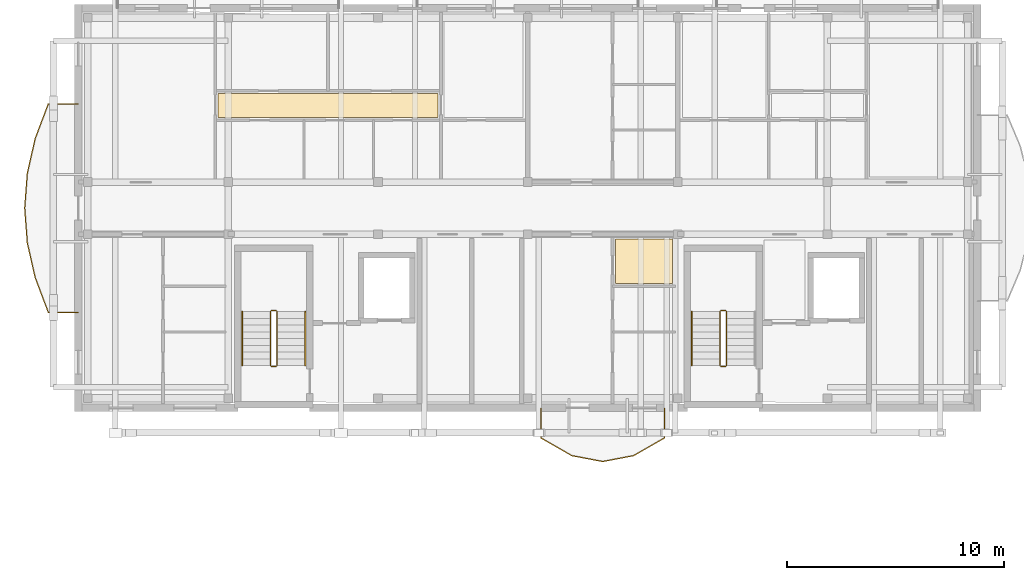
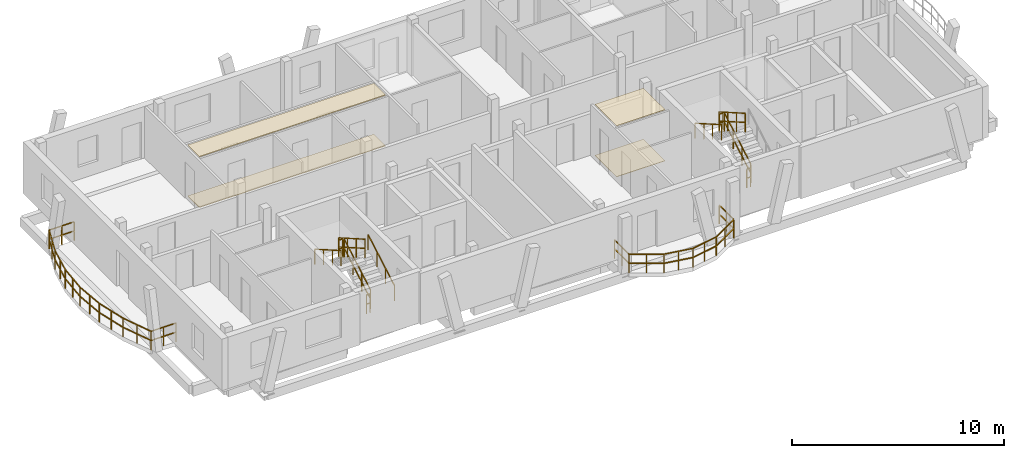
# One storey, part 29 of 33: 13 railings, 4 coverings.
"""IFC4 building model written with IfcOpenShell, lengths in metres."""

from ifc_helpers import new_model, si_unit, direction, frame, origin, origin_2d, place, context, subcontext, project, spatial, polyline, rectangle, outline, extrude, material, layer, layer_set, type_object, element, save


model = new_model("IFC4")

# Units and contexts
model_context = context("Model", 3, precision=1e-05, world=origin(), true_north=direction((0.0, 1.0)))
body_context = subcontext(model_context, "Body", "Model", "MODEL_VIEW")
ifc_project = project(units=[si_unit("LENGTHUNIT", "METRE"), si_unit("AREAUNIT", "SQUARE_METRE"), si_unit("VOLUMEUNIT", "CUBIC_METRE"), si_unit("PLANEANGLEUNIT", "RADIAN"), si_unit("MASSUNIT", "GRAM", prefix="KILO")], contexts=[model_context])

# Site, building, storey
site_placement = place(None, origin())
site = spatial("IfcSite", under=ifc_project, at=site_placement, CompositionType="ELEMENT")
building_placement = place(site_placement, origin())
building = spatial("IfcBuilding", under=site, at=building_placement, Name="Zavelmont Quarter", CompositionType="ELEMENT")
storey_placement = place(building_placement, frame((0.0, 0.0, 30.39990234375)))
storey = spatial("IfcBuildingStorey", under=building, at=storey_placement, Name="L09", CompositionType="ELEMENT", Elevation=30.39990234375)

# Coverings
ifc_material_1 = material(Name="Perforated acoustic gypsum board")
ifc_layer_1 = layer(ifc_material_1, 0.02490234375)
ifc_layer_set_1 = layer_set([ifc_layer_1], Name="Perforated acoustic gypsum board")
covering_type_1 = type_object("IfcCoveringType", Name="CV-CL01", PredefinedType="CEILING", material=ifc_layer_set_1)
covering_1_placement = place(storey_placement, frame((0.0, 0.0, 2.93505859375)))
element("IfcCovering", 1, at=covering_1_placement, inside=storey, type_object=covering_type_1, Name="L09 Kitchen acoustic ceiling", PredefinedType="CEILING", context=body_context, shape_type="SweptSolid", body=[
    extrude(outline(polyline([(24.72998046875, 105.3701171875), (27.360107421875, 105.3701171875), (27.360107421875, 105.360107421875), (27.3701171875, 105.360107421875), (27.3701171875, 103.330078125), (24.72998046875, 103.330078125), (24.72998046875, 105.3701171875)])), origin(), (0.0, 0.0, 1.0), 0.025146484375),
])
ifc_material_2 = material(Name="Slatted European ash acoustic baffle ceiling")
ifc_layer_2 = layer(ifc_material_2, 0.0400390625)
ifc_layer_set_2 = layer_set([ifc_layer_2], Name="Slatted European ash acoustic baffle ceiling")
covering_type_2 = type_object("IfcCoveringType", Name="CV-CL02", PredefinedType="CEILING", material=ifc_layer_set_2)
covering_2_placement = place(storey_placement, frame((0.0, 0.0, 2.920166015625)))
element("IfcCovering", 2, at=covering_2_placement, inside=storey, type_object=covering_type_2, Name="L09 Apartment Hall acoustic ceiling", PredefinedType="CEILING", context=body_context, shape_type="SweptSolid", body=[
    extrude(outline(polyline([(6.429931640625, 112.070068359375), (16.570068359375, 112.070068359375), (16.570068359375, 110.97998046875), (6.429931640625, 110.97998046875), (6.429931640625, 112.070068359375)])), origin(), (0.0, 0.0, 1.0), 0.0400390625),
])
ifc_material_3 = material(Name="Engineered European oak parquet")
ifc_layer_3 = layer(ifc_material_3, 0.02197265625)
ifc_layer_set_3 = layer_set([ifc_layer_3], Name="Engineered European oak parquet")
covering_type_3 = type_object("IfcCoveringType", Name="CV-FL01", PredefinedType="FLOORING", material=ifc_layer_set_3)
covering_3_placement = place(storey_placement, origin())
element("IfcCovering", 3, at=covering_3_placement, inside=storey, type_object=covering_type_3, Name="L09 Kitchen floor finish", PredefinedType="FLOORING", context=body_context, shape_type="SweptSolid", body=[
    extrude(outline(polyline([(24.72998046875, 105.3701171875), (27.360107421875, 105.3701171875), (27.360107421875, 105.360107421875), (27.3701171875, 105.360107421875), (27.3701171875, 103.330078125), (24.72998046875, 103.330078125), (24.72998046875, 105.3701171875)])), origin(), (0.0, 0.0, 1.0), 0.022216796875),
])
ifc_material_4 = material(Name="Honed Belgian bluestone tile", Category="masonry")
ifc_layer_4 = layer(ifc_material_4, 0.030029296875)
ifc_layer_set_4 = layer_set([ifc_layer_4], Name="Honed Belgian bluestone tile")
covering_type_4 = type_object("IfcCoveringType", Name="CV-FL02", PredefinedType="FLOORING", material=ifc_layer_set_4)
covering_4_placement = place(storey_placement, origin())
element("IfcCovering", 4, at=covering_4_placement, inside=storey, type_object=covering_type_4, Name="L09 Apartment Hall floor finish", PredefinedType="FLOORING", context=body_context, shape_type="SweptSolid", body=[
    extrude(outline(polyline([(6.429931640625, 112.070068359375), (16.570068359375, 112.070068359375), (16.570068359375, 110.97998046875), (6.429931640625, 110.97998046875), (6.429931640625, 112.070068359375)])), origin(), (0.0, 0.0, 1.0), 0.030029296875),
])

# Railings
ifc_material_5 = material(Name="Powder-coated steel and tempered double safety glass", Category="steel")
railing_type_1 = type_object("IfcRailingType", Name="RL-BAL1", PredefinedType="BALUSTRADE", material=ifc_material_5)
railing_1_placement = place(storey_placement, frame((-0.02001953125, 111.60400390625, 0.0)))
element("IfcRailing", 5, at=railing_1_placement, inside=storey, type_object=railing_type_1, Name="L09 Block B curved balcony guard RL-BAL1", PredefinedType="BALUSTRADE", context=body_context, shape_type="SweptSolid", body=[
    extrude(rectangle(XDim=0.048095703125, YDim=0.048095703125, at=origin_2d()), frame((0.0, 0.0, 1.076171875), z_axis=(-1.0, 0.0, 0.0), x_axis=(0.0, -1.0, 0.0)), (0.0, 0.0, 1.0), 1.364990234375),
    extrude(rectangle(XDim=0.048095703125, YDim=0.048095703125, at=origin_2d()), frame((0.0, 0.0, 0.550048828125), z_axis=(-1.0, 0.0, 0.0), x_axis=(0.0, -1.0, 0.0)), (0.0, 0.0, 1.0), 1.364990234375),
    extrude(rectangle(XDim=0.048095703125, YDim=0.048095703125, at=origin_2d()), frame((-1.364990234375, 0.0, 1.076171875), z_axis=(-0.353170328595, -0.935559040895, 0.0), x_axis=(0.935559040895, -0.353170328595, 0.0)), (0.0, 0.0, 1.0), 1.711669921875),
    extrude(rectangle(XDim=0.048095703125, YDim=0.048095703125, at=origin_2d()), frame((-1.364990234375, 0.0, 0.550048828125), z_axis=(-0.353170328595, -0.935559040895, 0.0), x_axis=(0.935559040895, -0.353170328595, 0.0)), (0.0, 0.0, 1.0), 1.711669921875),
    extrude(rectangle(XDim=0.048095703125, YDim=0.048095703125, at=origin_2d()), frame((-1.969482421875, -1.601318359375, 1.076171875), z_axis=(-0.220817646122, -0.975315111726, 0.0), x_axis=(0.975315111726, -0.220817646122, 0.0)), (0.0, 0.0, 1.0), 1.641845703125),
    extrude(rectangle(XDim=0.048095703125, YDim=0.048095703125, at=origin_2d()), frame((-1.969482421875, -1.601318359375, 0.550048828125), z_axis=(-0.220817646122, -0.975315111726, 0.0), x_axis=(0.975315111726, -0.220817646122, 0.0)), (0.0, 0.0, 1.0), 1.641845703125),
    extrude(rectangle(XDim=0.048095703125, YDim=0.048095703125, at=origin_2d()), frame((-2.33203125, -3.20263671875, 1.076171875), z_axis=(-0.075254817227, -0.997164335746, 0.0), x_axis=(0.997164335746, -0.075254817227, 0.0)), (0.0, 0.0, 1.0), 1.60595703125),
    extrude(rectangle(XDim=0.048095703125, YDim=0.048095703125, at=origin_2d()), frame((-2.33203125, -3.20263671875, 0.550048828125), z_axis=(-0.075254817227, -0.997164335746, 0.0), x_axis=(0.997164335746, -0.075254817227, 0.0)), (0.0, 0.0, 1.0), 1.60595703125),
    extrude(rectangle(XDim=0.048095703125, YDim=0.048095703125, at=origin_2d()), frame((-2.452880859375, -4.803955078125, 1.076171875), z_axis=(0.07524341041, -0.99716519654, 0.0), x_axis=(0.99716519654, 0.07524341041, 0.0)), (0.0, 0.0, 1.0), 1.606201171875),
    extrude(rectangle(XDim=0.048095703125, YDim=0.048095703125, at=origin_2d()), frame((-2.452880859375, -4.803955078125, 0.550048828125), z_axis=(0.07524341041, -0.99716519654, 0.0), x_axis=(0.99716519654, 0.07524341041, 0.0)), (0.0, 0.0, 1.0), 1.606201171875),
    extrude(rectangle(XDim=0.048095703125, YDim=0.048095703125, at=origin_2d()), frame((-2.33203125, -6.405517578125, 1.076171875), z_axis=(0.22084967542, -0.975307859533, 0.0), x_axis=(0.975307859533, 0.22084967542, 0.0)), (0.0, 0.0, 1.0), 1.6416015625),
    extrude(rectangle(XDim=0.048095703125, YDim=0.048095703125, at=origin_2d()), frame((-2.33203125, -6.405517578125, 0.550048828125), z_axis=(0.22084967542, -0.975307859533, 0.0), x_axis=(0.975307859533, 0.22084967542, 0.0)), (0.0, 0.0, 1.0), 1.6416015625),
    extrude(rectangle(XDim=0.048095703125, YDim=0.048095703125, at=origin_2d()), frame((-1.969482421875, -8.006591796875, 1.076171875), z_axis=(0.353123205354, -0.935576828401, 0.0), x_axis=(0.935576828401, 0.353123205354, 0.0)), (0.0, 0.0, 1.0), 1.7119140625),
    extrude(rectangle(XDim=0.048095703125, YDim=0.048095703125, at=origin_2d()), frame((-1.969482421875, -8.006591796875, 0.550048828125), z_axis=(0.353123205354, -0.935576828401, 0.0), x_axis=(0.935576828401, 0.353123205354, 0.0)), (0.0, 0.0, 1.0), 1.7119140625),
    extrude(rectangle(XDim=0.048095703125, YDim=0.048095703125, at=origin_2d()), frame((-1.364990234375, -9.608154296875, 1.076171875), z_axis=(1.0, 0.0, 0.0), x_axis=(0.0, 1.0, 0.0)), (0.0, 0.0, 1.0), 1.364990234375),
    extrude(rectangle(XDim=0.048095703125, YDim=0.048095703125, at=origin_2d()), frame((-1.364990234375, -9.608154296875, 0.550048828125), z_axis=(1.0, 0.0, 0.0), x_axis=(0.0, 1.0, 0.0)), (0.0, 0.0, 1.0), 1.364990234375),
    extrude(rectangle(XDim=0.0419921875, YDim=0.0419921875, at=origin_2d()), origin(), (0.0, 0.0, 1.0), 1.052001953125),
    extrude(rectangle(XDim=0.0419921875, YDim=0.0419921875, at=origin_2d()), frame((-0.6826171875, 0.0, 0.0)), (0.0, 0.0, 1.0), 1.052001953125),
    extrude(rectangle(XDim=0.0419921875, YDim=0.0419921875, at=origin_2d()), frame((-1.364990234375, 0.0, 0.0)), (0.0, 0.0, 1.0), 1.052001953125),
    extrude(rectangle(XDim=0.0419921875, YDim=0.0419921875, at=origin_2d()), frame((-1.667236328125, -0.80078125, 0.0)), (0.0, 0.0, 1.0), 1.052001953125),
    extrude(rectangle(XDim=0.0419921875, YDim=0.0419921875, at=origin_2d()), frame((-1.969482421875, -1.601318359375, 0.0)), (0.0, 0.0, 1.0), 1.052001953125),
    extrude(rectangle(XDim=0.0419921875, YDim=0.0419921875, at=origin_2d()), frame((-2.15087890625, -2.40185546875, 0.0)), (0.0, 0.0, 1.0), 1.052001953125),
    extrude(rectangle(XDim=0.0419921875, YDim=0.0419921875, at=origin_2d()), frame((-2.33203125, -3.20263671875, 0.0)), (0.0, 0.0, 1.0), 1.052001953125),
    extrude(rectangle(XDim=0.0419921875, YDim=0.0419921875, at=origin_2d()), frame((-2.392578125, -4.00341796875, 0.0)), (0.0, 0.0, 1.0), 1.052001953125),
    extrude(rectangle(XDim=0.0419921875, YDim=0.0419921875, at=origin_2d()), frame((-2.452880859375, -4.803955078125, 0.0)), (0.0, 0.0, 1.0), 1.052001953125),
    extrude(rectangle(XDim=0.0419921875, YDim=0.0419921875, at=origin_2d()), frame((-2.392578125, -5.604736328125, 0.0)), (0.0, 0.0, 1.0), 1.052001953125),
    extrude(rectangle(XDim=0.0419921875, YDim=0.0419921875, at=origin_2d()), frame((-2.33203125, -6.405517578125, 0.0)), (0.0, 0.0, 1.0), 1.052001953125),
    extrude(rectangle(XDim=0.0419921875, YDim=0.0419921875, at=origin_2d()), frame((-2.15087890625, -7.2060546875, 0.0)), (0.0, 0.0, 1.0), 1.052001953125),
    extrude(rectangle(XDim=0.0419921875, YDim=0.0419921875, at=origin_2d()), frame((-1.969482421875, -8.006591796875, 0.0)), (0.0, 0.0, 1.0), 1.052001953125),
    extrude(rectangle(XDim=0.0419921875, YDim=0.0419921875, at=origin_2d()), frame((-1.667236328125, -8.807373046875, 0.0)), (0.0, 0.0, 1.0), 1.052001953125),
    extrude(rectangle(XDim=0.0419921875, YDim=0.0419921875, at=origin_2d()), frame((-1.364990234375, -9.608154296875, 0.0)), (0.0, 0.0, 1.0), 1.052001953125),
    extrude(rectangle(XDim=0.0419921875, YDim=0.0419921875, at=origin_2d()), frame((-0.6826171875, -9.608154296875, 0.0)), (0.0, 0.0, 1.0), 1.052001953125),
    extrude(rectangle(XDim=0.0419921875, YDim=0.0419921875, at=origin_2d()), frame((0.0, -9.608154296875, 0.0)), (0.0, 0.0, 1.0), 1.052001953125),
])
railing_2_placement = place(storey_placement, frame((21.300048828125, 97.580078125, 0.0)))
element("IfcRailing", 6, at=railing_2_placement, inside=storey, type_object=railing_type_1, Name="L09 Block B curved balcony guard RL-BAL1", PredefinedType="BALUSTRADE", context=body_context, shape_type="SweptSolid", body=[
    extrude(rectangle(XDim=0.048095703125, YDim=0.048095703125, at=origin_2d()), frame((0.0, 0.0, 1.076171875), z_axis=(0.0, -1.0, 0.0), x_axis=(1.0, 0.0, 0.0)), (0.0, 0.0, 1.0), 1.364990234375),
    extrude(rectangle(XDim=0.048095703125, YDim=0.048095703125, at=origin_2d()), frame((0.0, 0.0, 0.550048828125), z_axis=(0.0, -1.0, 0.0), x_axis=(1.0, 0.0, 0.0)), (0.0, 0.0, 1.0), 1.364990234375),
    extrude(rectangle(XDim=0.048095703125, YDim=0.048095703125, at=origin_2d()), frame((0.0, -1.364990234375, 1.076171875), z_axis=(0.867757850735, -0.496987235739, 0.0), x_axis=(0.496987235739, 0.867757850735, 0.0)), (0.0, 0.0, 1.0), 1.642333984375),
    extrude(rectangle(XDim=0.048095703125, YDim=0.048095703125, at=origin_2d()), frame((0.0, -1.364990234375, 0.550048828125), z_axis=(0.867757850735, -0.496987235739, 0.0), x_axis=(0.496987235739, 0.867757850735, 0.0)), (0.0, 0.0, 1.0), 1.642333984375),
    extrude(rectangle(XDim=0.048095703125, YDim=0.048095703125, at=origin_2d()), frame((1.425048828125, -2.18115234375, 1.076171875), z_axis=(0.982264831087, -0.187498804289, 0.0), x_axis=(0.187498804289, 0.982264831087, 0.0)), (0.0, 0.0, 1.0), 1.450439453125),
    extrude(rectangle(XDim=0.048095703125, YDim=0.048095703125, at=origin_2d()), frame((1.425048828125, -2.18115234375, 0.550048828125), z_axis=(0.982264831087, -0.187498804289, 0.0), x_axis=(0.187498804289, 0.982264831087, 0.0)), (0.0, 0.0, 1.0), 1.450439453125),
    extrude(rectangle(XDim=0.048095703125, YDim=0.048095703125, at=origin_2d()), frame((2.849853515625, -2.453125, 1.076171875), z_axis=(0.982270746739, 0.187467810839, 0.0), x_axis=(-0.187467810839, 0.982270746739, 0.0)), (0.0, 0.0, 1.0), 1.45068359375),
    extrude(rectangle(XDim=0.048095703125, YDim=0.048095703125, at=origin_2d()), frame((2.849853515625, -2.453125, 0.550048828125), z_axis=(0.982270746739, 0.187467810839, 0.0), x_axis=(-0.187467810839, 0.982270746739, 0.0)), (0.0, 0.0, 1.0), 1.45068359375),
    extrude(rectangle(XDim=0.048095703125, YDim=0.048095703125, at=origin_2d()), frame((4.27490234375, -2.18115234375, 1.076171875), z_axis=(0.867757850735, 0.496987235739, 0.0), x_axis=(-0.496987235739, 0.867757850735, 0.0)), (0.0, 0.0, 1.0), 1.642333984375),
    extrude(rectangle(XDim=0.048095703125, YDim=0.048095703125, at=origin_2d()), frame((4.27490234375, -2.18115234375, 0.550048828125), z_axis=(0.867757850735, 0.496987235739, 0.0), x_axis=(-0.496987235739, 0.867757850735, 0.0)), (0.0, 0.0, 1.0), 1.642333984375),
    extrude(rectangle(XDim=0.048095703125, YDim=0.048095703125, at=origin_2d()), frame((5.699951171875, -1.364990234375, 1.076171875), z_axis=(0.0, 1.0, 0.0), x_axis=(-1.0, 0.0, 0.0)), (0.0, 0.0, 1.0), 1.364990234375),
    extrude(rectangle(XDim=0.048095703125, YDim=0.048095703125, at=origin_2d()), frame((5.699951171875, -1.364990234375, 0.550048828125), z_axis=(0.0, 1.0, 0.0), x_axis=(-1.0, 0.0, 0.0)), (0.0, 0.0, 1.0), 1.364990234375),
    extrude(rectangle(XDim=0.0419921875, YDim=0.0419921875, at=origin_2d()), origin(), (0.0, 0.0, 1.0), 1.052001953125),
    extrude(rectangle(XDim=0.0419921875, YDim=0.0419921875, at=origin_2d()), frame((0.0, -0.6826171875, 0.0)), (0.0, 0.0, 1.0), 1.052001953125),
    extrude(rectangle(XDim=0.0419921875, YDim=0.0419921875, at=origin_2d()), frame((0.0, -1.364990234375, 0.0)), (0.0, 0.0, 1.0), 1.052001953125),
    extrude(rectangle(XDim=0.0419921875, YDim=0.0419921875, at=origin_2d()), frame((0.71240234375, -1.77294921875, 0.0)), (0.0, 0.0, 1.0), 1.052001953125),
    extrude(rectangle(XDim=0.0419921875, YDim=0.0419921875, at=origin_2d()), frame((1.425048828125, -2.18115234375, 0.0)), (0.0, 0.0, 1.0), 1.052001953125),
    extrude(rectangle(XDim=0.0419921875, YDim=0.0419921875, at=origin_2d()), frame((2.137451171875, -2.317138671875, 0.0)), (0.0, 0.0, 1.0), 1.052001953125),
    extrude(rectangle(XDim=0.0419921875, YDim=0.0419921875, at=origin_2d()), frame((2.849853515625, -2.453125, 0.0)), (0.0, 0.0, 1.0), 1.052001953125),
    extrude(rectangle(XDim=0.0419921875, YDim=0.0419921875, at=origin_2d()), frame((3.5625, -2.317138671875, 0.0)), (0.0, 0.0, 1.0), 1.052001953125),
    extrude(rectangle(XDim=0.0419921875, YDim=0.0419921875, at=origin_2d()), frame((4.27490234375, -2.18115234375, 0.0)), (0.0, 0.0, 1.0), 1.052001953125),
    extrude(rectangle(XDim=0.0419921875, YDim=0.0419921875, at=origin_2d()), frame((4.9873046875, -1.77294921875, 0.0)), (0.0, 0.0, 1.0), 1.052001953125),
    extrude(rectangle(XDim=0.0419921875, YDim=0.0419921875, at=origin_2d()), frame((5.699951171875, -1.364990234375, 0.0)), (0.0, 0.0, 1.0), 1.052001953125),
    extrude(rectangle(XDim=0.0419921875, YDim=0.0419921875, at=origin_2d()), frame((5.699951171875, -0.6826171875, 0.0)), (0.0, 0.0, 1.0), 1.052001953125),
    extrude(rectangle(XDim=0.0419921875, YDim=0.0419921875, at=origin_2d()), frame((5.699951171875, 0.0, 0.0)), (0.0, 0.0, 1.0), 1.052001953125),
])
ifc_material_6 = material(Name="Powder-coated steel stair guardrail", Category="steel")
railing_type_2 = type_object("IfcRailingType", Name="RL-GRD1", PredefinedType="GUARDRAIL", material=ifc_material_6)
railing_3_placement = place(storey_placement, frame((9.14990234375, 99.550048828125, 0.177978515625)))
element("IfcRailing", 7, at=railing_3_placement, inside=storey, type_object=railing_type_2, Name="L09 ST03 stair guardrail 1", PredefinedType="GUARDRAIL", context=body_context, shape_type="SweptSolid", body=[
    extrude(rectangle(XDim=0.048095703125, YDim=0.048095703125, at=origin_2d()), frame((0.0, 0.0, 1.076171875), z_axis=(0.0, 0.867490628297, 0.497453525283), x_axis=(-1.0, 0.0, 0.0)), (0.0, 0.0, 1.0), 2.85888671875),
    extrude(rectangle(XDim=0.048095703125, YDim=0.048095703125, at=origin_2d()), frame((0.0, 0.0, 0.550048828125), z_axis=(0.0, 0.867490628297, 0.497453525283), x_axis=(-1.0, 0.0, 0.0)), (0.0, 0.0, 1.0), 2.85888671875),
    extrude(rectangle(XDim=0.0419921875, YDim=0.0419921875, at=origin_2d()), origin(), (0.0, 0.0, 1.0), 1.052001953125),
    extrude(rectangle(XDim=0.0419921875, YDim=0.0419921875, at=origin_2d()), frame((0.0, 0.82666015625, 0.47412109375)), (0.0, 0.0, 1.0), 1.052001953125),
    extrude(rectangle(XDim=0.0419921875, YDim=0.0419921875, at=origin_2d()), frame((0.0, 1.6533203125, 0.947998046875)), (0.0, 0.0, 1.0), 1.052001953125),
    extrude(rectangle(XDim=0.0419921875, YDim=0.0419921875, at=origin_2d()), frame((0.0, 2.47998046875, 1.422119140625)), (0.0, 0.0, 1.0), 1.052001953125),
])
railing_4_placement = place(storey_placement, frame((9.10009765625, 102.080078125, 1.60009765625)))
element("IfcRailing", 8, at=railing_4_placement, inside=storey, type_object=railing_type_2, Name="L09 ST03 stair guardrail 2", PredefinedType="GUARDRAIL", context=body_context, shape_type="SweptSolid", body=[
    extrude(rectangle(XDim=0.048095703125, YDim=0.048095703125, at=origin_2d()), frame((0.0, 0.0, 1.076171875), z_axis=(-1.0, 0.0, 0.0), x_axis=(0.0, -1.0, 0.0)), (0.0, 0.0, 1.0), 0.2001953125),
    extrude(rectangle(XDim=0.048095703125, YDim=0.048095703125, at=origin_2d()), frame((0.0, 0.0, 0.550048828125), z_axis=(-1.0, 0.0, 0.0), x_axis=(0.0, -1.0, 0.0)), (0.0, 0.0, 1.0), 0.2001953125),
    extrude(rectangle(XDim=0.0419921875, YDim=0.0419921875, at=origin_2d()), origin(), (0.0, 0.0, 1.0), 1.052001953125),
    extrude(rectangle(XDim=0.0419921875, YDim=0.0419921875, at=origin_2d()), frame((-0.2001953125, 0.0, 0.0)), (0.0, 0.0, 1.0), 1.052001953125),
])
railing_5_placement = place(storey_placement, frame((8.85009765625, 102.030029296875, 1.77783203125)))
element("IfcRailing", 9, at=railing_5_placement, inside=storey, type_object=railing_type_2, Name="L09 ST03 stair guardrail 3", PredefinedType="GUARDRAIL", context=body_context, shape_type="SweptSolid", body=[
    extrude(rectangle(XDim=0.048095703125, YDim=0.048095703125, at=origin_2d()), frame((0.0, 0.0, 1.076171875), z_axis=(0.0, -0.867453774394, 0.497517787913), x_axis=(1.0, 0.0, 0.0)), (0.0, 0.0, 1.0), 2.85888671875),
    extrude(rectangle(XDim=0.048095703125, YDim=0.048095703125, at=origin_2d()), frame((0.0, 0.0, 0.550048828125), z_axis=(0.0, -0.867453774394, 0.497517787913), x_axis=(1.0, 0.0, 0.0)), (0.0, 0.0, 1.0), 2.85888671875),
    extrude(rectangle(XDim=0.0419921875, YDim=0.0419921875, at=origin_2d()), origin(), (0.0, 0.0, 1.0), 1.052001953125),
    extrude(rectangle(XDim=0.0419921875, YDim=0.0419921875, at=origin_2d()), frame((0.0, -0.82666015625, 0.47412109375)), (0.0, 0.0, 1.0), 1.052001953125),
    extrude(rectangle(XDim=0.0419921875, YDim=0.0419921875, at=origin_2d()), frame((0.0, -1.6533203125, 0.9482421875)), (0.0, 0.0, 1.0), 1.052001953125),
    extrude(rectangle(XDim=0.0419921875, YDim=0.0419921875, at=origin_2d()), frame((0.0, -2.47998046875, 1.42236328125)), (0.0, 0.0, 1.0), 1.052001953125),
])
railing_6_placement = place(storey_placement, frame((9.10009765625, 99.5, 0.0)))
element("IfcRailing", 10, at=railing_6_placement, inside=storey, type_object=railing_type_2, Name="L09 ST03 stair guardrail 4", PredefinedType="GUARDRAIL", context=body_context, shape_type="SweptSolid", body=[
    extrude(rectangle(XDim=0.048095703125, YDim=0.048095703125, at=origin_2d()), frame((0.0, 0.0, 1.076171875), z_axis=(-1.0, 0.0, 0.0), x_axis=(0.0, -1.0, 0.0)), (0.0, 0.0, 1.0), 0.2001953125),
    extrude(rectangle(XDim=0.048095703125, YDim=0.048095703125, at=origin_2d()), frame((0.0, 0.0, 0.550048828125), z_axis=(-1.0, 0.0, 0.0), x_axis=(0.0, -1.0, 0.0)), (0.0, 0.0, 1.0), 0.2001953125),
    extrude(rectangle(XDim=0.0419921875, YDim=0.0419921875, at=origin_2d()), origin(), (0.0, 0.0, 1.0), 1.052001953125),
    extrude(rectangle(XDim=0.0419921875, YDim=0.0419921875, at=origin_2d()), frame((-0.2001953125, 0.0, 0.0)), (0.0, 0.0, 1.0), 1.052001953125),
])
railing_7_placement = place(storey_placement, frame((29.85009765625, 99.550048828125, 0.177978515625)))
element("IfcRailing", 11, at=railing_7_placement, inside=storey, type_object=railing_type_2, Name="L09 ST04 stair guardrail 1", PredefinedType="GUARDRAIL", context=body_context, shape_type="SweptSolid", body=[
    extrude(rectangle(XDim=0.048095703125, YDim=0.048095703125, at=origin_2d()), frame((0.0, 0.0, 1.076171875), z_axis=(0.0, 0.867490628297, 0.497453525283), x_axis=(-1.0, 0.0, 0.0)), (0.0, 0.0, 1.0), 2.85888671875),
    extrude(rectangle(XDim=0.048095703125, YDim=0.048095703125, at=origin_2d()), frame((0.0, 0.0, 0.550048828125), z_axis=(0.0, 0.867490628297, 0.497453525283), x_axis=(-1.0, 0.0, 0.0)), (0.0, 0.0, 1.0), 2.85888671875),
    extrude(rectangle(XDim=0.0419921875, YDim=0.0419921875, at=origin_2d()), origin(), (0.0, 0.0, 1.0), 1.052001953125),
    extrude(rectangle(XDim=0.0419921875, YDim=0.0419921875, at=origin_2d()), frame((0.0, 0.82666015625, 0.47412109375)), (0.0, 0.0, 1.0), 1.052001953125),
    extrude(rectangle(XDim=0.0419921875, YDim=0.0419921875, at=origin_2d()), frame((0.0, 1.6533203125, 0.947998046875)), (0.0, 0.0, 1.0), 1.052001953125),
    extrude(rectangle(XDim=0.0419921875, YDim=0.0419921875, at=origin_2d()), frame((0.0, 2.47998046875, 1.422119140625)), (0.0, 0.0, 1.0), 1.052001953125),
])
railing_8_placement = place(storey_placement, frame((29.800048828125, 102.080078125, 1.60009765625)))
element("IfcRailing", 12, at=railing_8_placement, inside=storey, type_object=railing_type_2, Name="L09 ST04 stair guardrail 2", PredefinedType="GUARDRAIL", context=body_context, shape_type="SweptSolid", body=[
    extrude(rectangle(XDim=0.048095703125, YDim=0.048095703125, at=origin_2d()), frame((0.0, 0.0, 1.076171875), z_axis=(-1.0, 0.0, 0.0), x_axis=(0.0, -1.0, 0.0)), (0.0, 0.0, 1.0), 0.199951171875),
    extrude(rectangle(XDim=0.048095703125, YDim=0.048095703125, at=origin_2d()), frame((0.0, 0.0, 0.550048828125), z_axis=(-1.0, 0.0, 0.0), x_axis=(0.0, -1.0, 0.0)), (0.0, 0.0, 1.0), 0.199951171875),
    extrude(rectangle(XDim=0.0419921875, YDim=0.0419921875, at=origin_2d()), origin(), (0.0, 0.0, 1.0), 1.052001953125),
    extrude(rectangle(XDim=0.0419921875, YDim=0.0419921875, at=origin_2d()), frame((-0.199951171875, 0.0, 0.0)), (0.0, 0.0, 1.0), 1.052001953125),
])
railing_9_placement = place(storey_placement, frame((29.550048828125, 102.030029296875, 1.77783203125)))
element("IfcRailing", 13, at=railing_9_placement, inside=storey, type_object=railing_type_2, Name="L09 ST04 stair guardrail 3", PredefinedType="GUARDRAIL", context=body_context, shape_type="SweptSolid", body=[
    extrude(rectangle(XDim=0.048095703125, YDim=0.048095703125, at=origin_2d()), frame((0.0, 0.0, 1.076171875), z_axis=(0.0, -0.867453774394, 0.497517787913), x_axis=(1.0, 0.0, 0.0)), (0.0, 0.0, 1.0), 2.85888671875),
    extrude(rectangle(XDim=0.048095703125, YDim=0.048095703125, at=origin_2d()), frame((0.0, 0.0, 0.550048828125), z_axis=(0.0, -0.867453774394, 0.497517787913), x_axis=(1.0, 0.0, 0.0)), (0.0, 0.0, 1.0), 2.85888671875),
    extrude(rectangle(XDim=0.0419921875, YDim=0.0419921875, at=origin_2d()), origin(), (0.0, 0.0, 1.0), 1.052001953125),
    extrude(rectangle(XDim=0.0419921875, YDim=0.0419921875, at=origin_2d()), frame((0.0, -0.82666015625, 0.47412109375)), (0.0, 0.0, 1.0), 1.052001953125),
    extrude(rectangle(XDim=0.0419921875, YDim=0.0419921875, at=origin_2d()), frame((0.0, -1.6533203125, 0.9482421875)), (0.0, 0.0, 1.0), 1.052001953125),
    extrude(rectangle(XDim=0.0419921875, YDim=0.0419921875, at=origin_2d()), frame((0.0, -2.47998046875, 1.42236328125)), (0.0, 0.0, 1.0), 1.052001953125),
])
railing_10_placement = place(storey_placement, frame((29.800048828125, 99.5, 0.0)))
element("IfcRailing", 14, at=railing_10_placement, inside=storey, type_object=railing_type_2, Name="L09 ST04 stair guardrail 4", PredefinedType="GUARDRAIL", context=body_context, shape_type="SweptSolid", body=[
    extrude(rectangle(XDim=0.048095703125, YDim=0.048095703125, at=origin_2d()), frame((0.0, 0.0, 1.076171875), z_axis=(-1.0, 0.0, 0.0), x_axis=(0.0, -1.0, 0.0)), (0.0, 0.0, 1.0), 0.199951171875),
    extrude(rectangle(XDim=0.048095703125, YDim=0.048095703125, at=origin_2d()), frame((0.0, 0.0, 0.550048828125), z_axis=(-1.0, 0.0, 0.0), x_axis=(0.0, -1.0, 0.0)), (0.0, 0.0, 1.0), 0.199951171875),
    extrude(rectangle(XDim=0.0419921875, YDim=0.0419921875, at=origin_2d()), origin(), (0.0, 0.0, 1.0), 1.052001953125),
    extrude(rectangle(XDim=0.0419921875, YDim=0.0419921875, at=origin_2d()), frame((-0.199951171875, 0.0, 0.0)), (0.0, 0.0, 1.0), 1.052001953125),
])
ifc_material_7 = material(Name="Brushed stainless-steel wall handrail", Category="steel")
railing_type_3 = type_object("IfcRailingType", Name="RL-HND1", PredefinedType="HANDRAIL", material=ifc_material_7)
railing_11_placement = place(storey_placement, frame((10.449951171875, 99.550048828125, 0.177978515625)))
element("IfcRailing", 15, at=railing_11_placement, inside=storey, type_object=railing_type_3, Name="L09 ST03 stair handrail 1", PredefinedType="HANDRAIL", context=body_context, shape_type="SweptSolid", body=[
    extrude(rectangle(XDim=0.048095703125, YDim=0.048095703125, at=origin_2d()), frame((0.0, 0.0, 0.8759765625), z_axis=(0.0, 0.867490628297, 0.497453525283), x_axis=(-1.0, 0.0, 0.0)), (0.0, 0.0, 1.0), 2.85888671875),
    extrude(rectangle(XDim=0.0419921875, YDim=0.0419921875, at=origin_2d()), origin(), (0.0, 0.0, 1.0), 0.851806640625),
    extrude(rectangle(XDim=0.0419921875, YDim=0.0419921875, at=origin_2d()), frame((0.0, 0.82666015625, 0.47412109375)), (0.0, 0.0, 1.0), 0.851806640625),
    extrude(rectangle(XDim=0.0419921875, YDim=0.0419921875, at=origin_2d()), frame((0.0, 1.6533203125, 0.947998046875)), (0.0, 0.0, 1.0), 0.851806640625),
    extrude(rectangle(XDim=0.0419921875, YDim=0.0419921875, at=origin_2d()), frame((0.0, 2.47998046875, 1.422119140625)), (0.0, 0.0, 1.0), 0.851806640625),
])
for number, where, name in (
    (16, (7.550048828125, 102.030029296875, 1.77783203125), "L09 ST03 stair handrail 2"),
    (17, (28.25, 102.030029296875, 1.77783203125), "L09 ST04 stair handrail 2"),
):
    element("IfcRailing", number, at=place(storey_placement, frame(where)), inside=storey, type_object=railing_type_3, Name=name, PredefinedType="HANDRAIL", context=body_context, shape_type="SweptSolid", body=[
        extrude(rectangle(XDim=0.048095703125, YDim=0.048095703125, at=origin_2d()), frame((0.0, 0.0, 0.8759765625), z_axis=(0.0, -0.867453774394, 0.497517787913), x_axis=(1.0, 0.0, 0.0)), (0.0, 0.0, 1.0), 2.85888671875),
        extrude(rectangle(XDim=0.0419921875, YDim=0.0419921875, at=origin_2d()), origin(), (0.0, 0.0, 1.0), 0.851806640625),
        extrude(rectangle(XDim=0.0419921875, YDim=0.0419921875, at=origin_2d()), frame((0.0, -0.82666015625, 0.47412109375)), (0.0, 0.0, 1.0), 0.851806640625),
        extrude(rectangle(XDim=0.0419921875, YDim=0.0419921875, at=origin_2d()), frame((0.0, -1.6533203125, 0.9482421875)), (0.0, 0.0, 1.0), 0.851806640625),
        extrude(rectangle(XDim=0.0419921875, YDim=0.0419921875, at=origin_2d()), frame((0.0, -2.47998046875, 1.42236328125)), (0.0, 0.0, 1.0), 0.851806640625),
    ])

save(model, "model.ifc")
